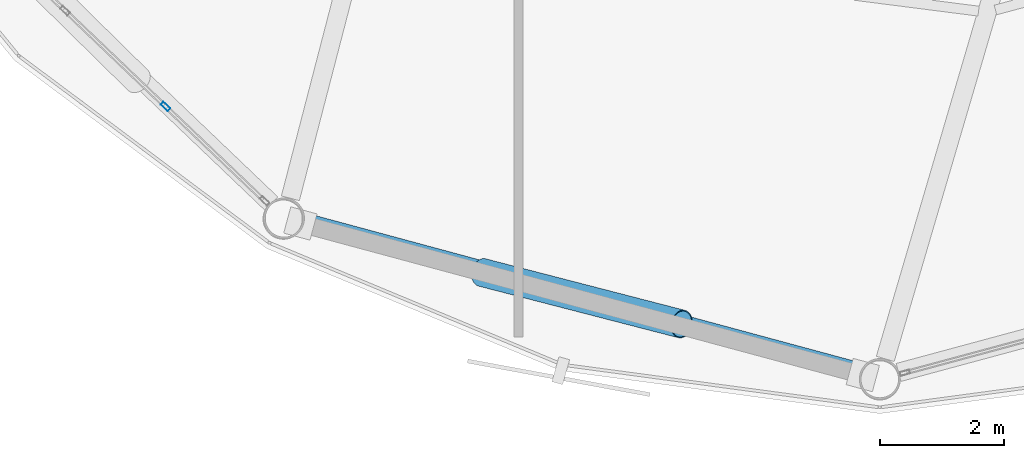
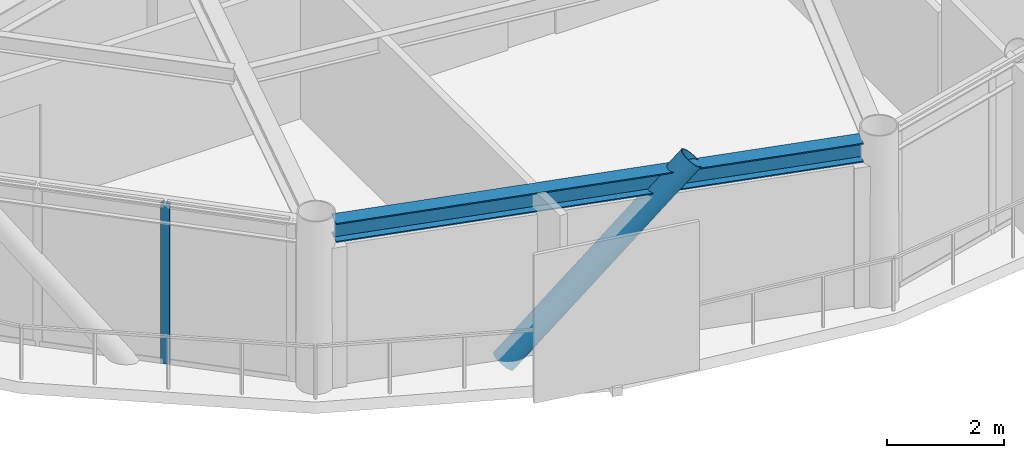
# One storey, part 3 of 28: 2 members, 1 beam, 1 element without a shape of its own.
"""IFC4 building model written with IfcOpenShell, lengths in metres."""

from ifc_helpers import new_model, si_unit, direction, frame, origin, origin_2d, place, context, subcontext, project, spatial, hollow_rectangle, hollow_circle, i_section, extrude, material, layer, layer_set, material_profile, profile_set, type_object, element, aggregate, save


model = new_model("IFC4")

# Units and contexts
model_context = context("Model", 3, precision=1e-05, world=origin(), true_north=direction((0.0, 1.0)))
body_context = subcontext(model_context, "Body", "Model", "MODEL_VIEW")
ifc_project = project(units=[si_unit("LENGTHUNIT", "METRE"), si_unit("AREAUNIT", "SQUARE_METRE"), si_unit("VOLUMEUNIT", "CUBIC_METRE"), si_unit("PLANEANGLEUNIT", "RADIAN"), si_unit("MASSUNIT", "GRAM", prefix="KILO")], contexts=[model_context])

# Site, building, storey
site_placement = place(None, origin())
site = spatial("IfcSite", under=ifc_project, at=site_placement, CompositionType="ELEMENT")
building_placement = place(site_placement, origin())
building = spatial("IfcBuilding", under=site, at=building_placement, Name="Varnakorn Sky Granary", CompositionType="ELEMENT")
storey_placement = place(building_placement, frame((0.0, 0.0, 196.800048828125)))
storey = spatial("IfcBuildingStorey", under=building, at=storey_placement, Name="L49", CompositionType="ELEMENT", Elevation=196.800048828125)

# Beam
ifc_material_1 = material(Name="Steel S355JR", Category="steel")
ifc_material_profile_1 = material_profile(ifc_material_1, i_section(OverallWidth=0.300048828125, OverallDepth=0.39990234375, WebThickness=0.013427734375, FlangeThickness=0.02392578125, at=origin_2d()), Name="HE 400 B")
ifc_profile_set_1 = profile_set([ifc_material_profile_1], Name="Steel S355JR")
beam_type = type_object("IfcBeamType", Name="BM-SPD-Z4", PredefinedType="SPANDREL", material=ifc_profile_set_1)
beam_placement = place(storey_placement, frame((-4.46630859375, -15.997802734375, 3.159912109375), z_axis=(0.965434216074, -0.260646838527, 0.0), x_axis=(0.260646838527, 0.965434216074, 0.0)))
element("IfcBeam", 1, at=beam_placement, inside=storey, type_object=beam_type, Name="Perimeter Spandrel Ring Beam RB09 L49", PredefinedType="SPANDREL", context=body_context, shape_type="SweptSolid", body=[
    extrude(i_section(OverallWidth=0.300048828125, OverallDepth=0.39990234375, WebThickness=0.013427734375, FlangeThickness=0.02392578125, at=origin_2d()), origin(), (0.0, 0.0, 1.0), 9.3349609375),
])

# Curtain wall, member
ifc_material_2 = material(Name="Anodised Bronze Aluminium Alloy 6063-T6", Category="aluminium")
ifc_layer = layer(ifc_material_2, 0.169921875, Name="Anodised Bronze Aluminium Alloy 6063-T6")
ifc_layer_set = layer_set([ifc_layer], Name="Anodised Bronze Aluminium Alloy 6063-T6")
curtain_wall_type = type_object("IfcCurtainWallType", Name="CW-LAB-1", PredefinedType="USERDEFINED", material=ifc_layer_set)
curtain_wall_placement = place(storey_placement, origin())
curtain_wall = element("IfcCurtainWall", 2, at=curtain_wall_placement, inside=storey, type_object=curtain_wall_type, Name="Unitised Curtain Wall CW5 CW-L49-B08", ObjectType="CURTAIN WALL", PredefinedType="USERDEFINED")
ifc_material_profile_2 = material_profile(ifc_material_2, hollow_rectangle(XDim=0.06494140625, YDim=0.159912109375, WallThickness=0.00341796875, at=origin_2d()), Name="ALU MULL 65x160")
ifc_profile_set_2 = profile_set([ifc_material_profile_2], Name="Anodised Bronze Aluminium Alloy 6063-T6")
member_type_1 = type_object("IfcMemberType", Name="CW-LAB-1-MULL", PredefinedType="MULLION", material=ifc_profile_set_2)
member_1_placement = place(storey_placement, frame((-6.71240234375, -14.1259765625, 0.0), z_axis=(0.0, 0.0, 1.0), x_axis=(-0.690097158605, -0.723716734424, 0.0)))
member_1 = element("IfcMember", 3, at=member_1_placement, type_object=member_type_1, Name="CW5 mullion 2", PredefinedType="MULLION", context=body_context, shape_type="SweptSolid", body=[
    extrude(hollow_rectangle(XDim=0.06494140625, YDim=0.159912109375, WallThickness=0.00341796875, at=origin_2d()), origin(), (0.0, 0.0, 1.0), 3.35986328125),
])
aggregate(curtain_wall, [member_1])

# Member
ifc_material_3 = material(Name="Steel S460M", Category="steel")
ifc_material_profile_3 = material_profile(ifc_material_3, hollow_circle(Radius=0.228515625, WallThickness=0.01611328125, at=origin_2d()), Name="CHS 457x16")
ifc_profile_set_3 = profile_set([ifc_material_profile_3], Name="Steel S460M")
member_type_2 = type_object("IfcMemberType", Name="MB-DIAG-T3", PredefinedType="BRACE", material=ifc_profile_set_3)
member_2_placement = place(storey_placement, frame((-1.586181640625, -16.8125, -0.130126953125), z_axis=(0.65605916982, -0.169569572242, 0.735413166774), x_axis=(0.250243246883, 0.968182997883, 0.0)))
element("IfcMember", 4, at=member_2_placement, inside=storey, type_object=member_type_2, Name="Perimeter CHS Diagrid Brace DG09 L49", PredefinedType="BRACE", context=body_context, shape_type="SweptSolid", body=[
    extrude(hollow_circle(Radius=0.228515625, WallThickness=0.01611328125, at=origin_2d()), origin(), (0.0, 0.0, 1.0), 4.922607421875),
])

save(model, "model.ifc")
